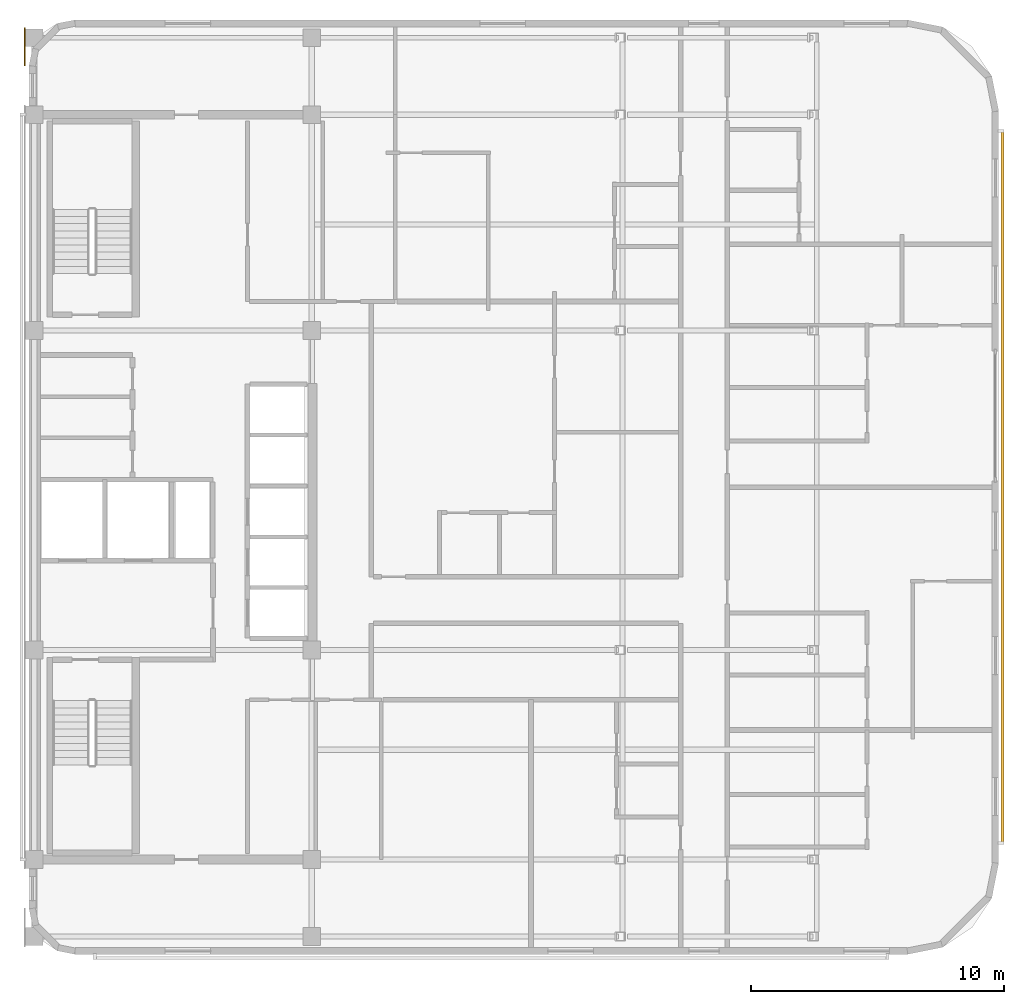
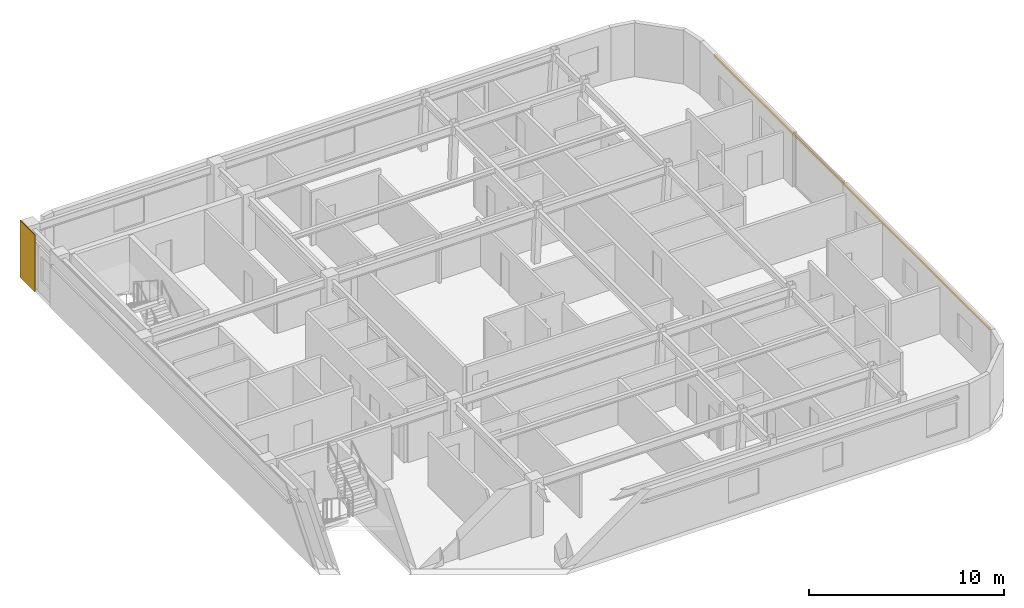
# One storey, part 10 of 10: 1 covering, 1 shading device.
"""IFC4 building model written with IfcOpenShell, lengths in metres."""

from ifc_helpers import new_model, si_unit, direction, frame, origin, origin_2d, place, context, subcontext, project, spatial, rectangle, extrude, material, layer, layer_set, material_profile, profile_set, type_object, element, save


model = new_model("IFC4")

# Units and contexts
model_context = context("Model", 3, precision=1e-05, world=origin(), true_north=direction((0.0, 1.0)))
body_context = subcontext(model_context, "Body", "Model", "MODEL_VIEW")
ifc_project = project(units=[si_unit("LENGTHUNIT", "METRE"), si_unit("AREAUNIT", "SQUARE_METRE"), si_unit("VOLUMEUNIT", "CUBIC_METRE"), si_unit("PLANEANGLEUNIT", "RADIAN"), si_unit("MASSUNIT", "GRAM", prefix="KILO")], contexts=[model_context])

# Site, building, storey
site_placement = place(None, origin())
site = spatial("IfcSite", under=ifc_project, at=site_placement, CompositionType="ELEMENT")
building_placement = place(site_placement, origin())
building = spatial("IfcBuilding", under=site, at=building_placement, Name="Ochreholt Gables", CompositionType="ELEMENT")
storey_placement = place(building_placement, frame((0.0, 0.0, 213.0)))
storey = spatial("IfcBuildingStorey", under=building, at=storey_placement, Name="L55", CompositionType="ELEMENT", Elevation=213.0)

# Covering
ifc_material_1 = material(Name="Glazed Ochre Terracotta Rainscreen Cladding", Category="masonry")
ifc_layer = layer(ifc_material_1, 0.044921875, Name="Glazed Ochre Terracotta Rainscreen Cladding")
ifc_layer_set = layer_set([ifc_layer], Name="Glazed Ochre Terracotta Rainscreen Cladding")
covering_type = type_object("IfcCoveringType", Name="COV-CLAD-TC", PredefinedType="CLADDING", material=ifc_layer_set)
covering_placement = place(storey_placement, frame((23.827880859375, 41.43994140625, 0.010009765625), z_axis=(0.0, 0.0, 1.0), x_axis=(0.0, 1.0, 0.0)))
element("IfcCovering", 1, at=covering_placement, inside=storey, type_object=covering_type, Name="L55 North-West Pier Terracotta Cladding", PredefinedType="CLADDING", context=body_context, shape_type="SweptSolid", body=[
    extrude(rectangle(XDim=1.52001953125, YDim=0.044921875, at=origin_2d()), origin(), (0.0, 0.0, 1.0), 3.580078125),
])

# Shading device
ifc_material_2 = material(Name="Warm Ochre Glazed Terracotta Baguette", Category="masonry")
ifc_material_profile = material_profile(ifc_material_2, rectangle(XDim=0.110107421875, YDim=0.14990234375, at=origin_2d()), Name="TCBAG110X150")
ifc_profile_set = profile_set([ifc_material_profile], Name="Warm Ochre Glazed Terracotta Baguette")
shading_device_type = type_object("IfcShadingDeviceType", Name="SHD-BAGUETTE", PredefinedType="USERDEFINED", material=ifc_profile_set)
shading_device_placement = place(storey_placement, frame((62.550048828125, 9.89990234375, 2.840087890625), z_axis=(0.0, 1.0, 0.0), x_axis=(-1.0, 0.0, 0.0)))
element("IfcShadingDevice", 2, at=shading_device_placement, inside=storey, type_object=shading_device_type, Name="L55 Terracotta Baguette Screen E-1", ObjectType="BAGUETTE", PredefinedType="USERDEFINED", context=body_context, shape_type="SweptSolid", body=[
    extrude(rectangle(XDim=0.110107421875, YDim=0.14990234375, at=origin_2d()), origin(), (0.0, 0.0, 1.0), 28.2001953125),
])

save(model, "model.ifc")
